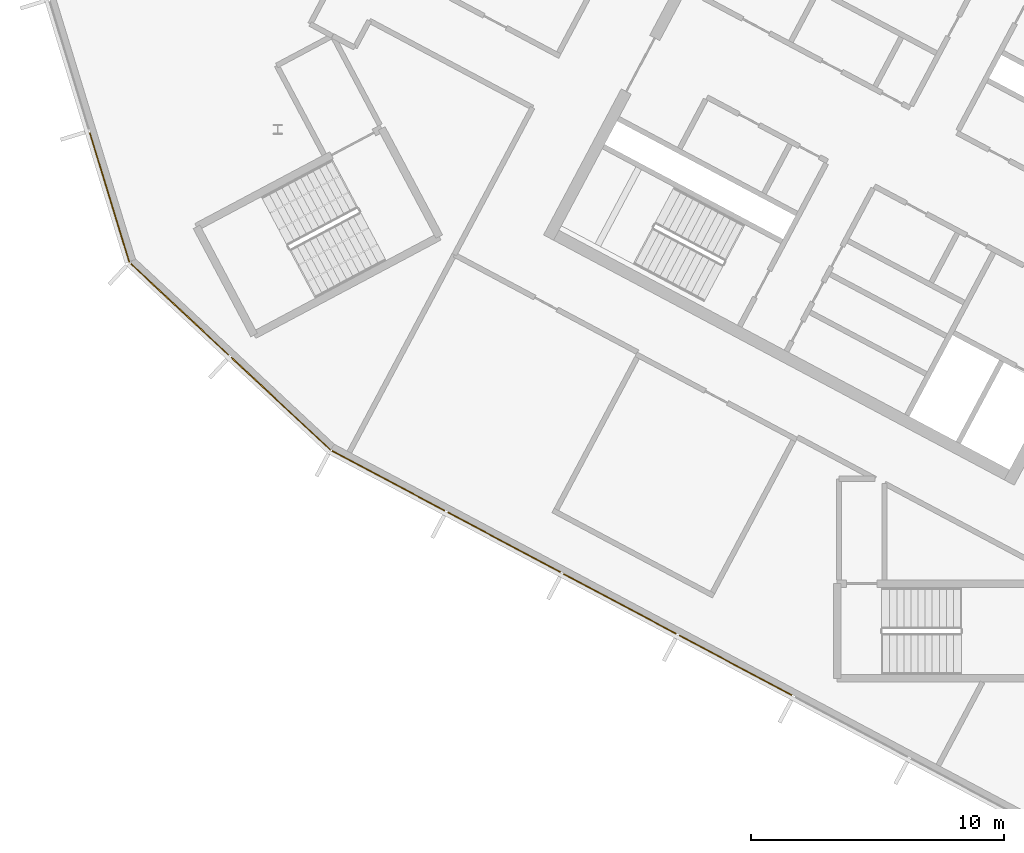
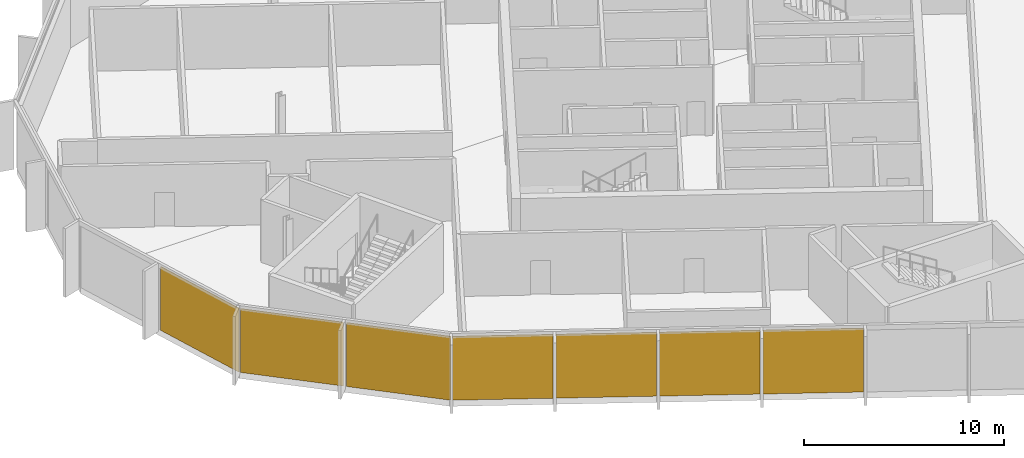
# One storey, part 10 of 15: 7 coverings, 3 elements without a shape of their own.
"""IFC4 building model written with IfcOpenShell, lengths in metres."""

from ifc_helpers import new_model, si_unit, direction, frame, origin, origin_2d, place, context, subcontext, project, spatial, rectangle, extrude, material, layer, layer_set, type_object, element, aggregate, save


model = new_model("IFC4")

# Units and contexts
model_context = context("Model", 3, precision=1e-05, world=origin(), true_north=direction((0.0, 1.0)))
body_context = subcontext(model_context, "Body", "Model", "MODEL_VIEW")
ifc_project = project(units=[si_unit("LENGTHUNIT", "METRE"), si_unit("AREAUNIT", "SQUARE_METRE"), si_unit("VOLUMEUNIT", "CUBIC_METRE"), si_unit("PLANEANGLEUNIT", "RADIAN"), si_unit("MASSUNIT", "GRAM", prefix="KILO")], contexts=[model_context])

# Site, building, storey
site_placement = place(None, origin())
site = spatial("IfcSite", under=ifc_project, at=site_placement, CompositionType="ELEMENT")
building_placement = place(site_placement, origin())
building = spatial("IfcBuilding", under=site, at=building_placement, Name="Cormorant Relay Tower", CompositionType="ELEMENT")
storey_placement = place(building_placement, frame((0.0, 0.0, 336.60009765625)))
storey = spatial("IfcBuildingStorey", under=building, at=storey_placement, Name="C3", CompositionType="ELEMENT", Elevation=336.60009765625)

# Curtain wall, coverings
ifc_material_1 = material(Name="Aluminium 6063-T6 anodised bronze", Category="aluminium")
ifc_layer_1 = layer(ifc_material_1, 0.199951171875)
ifc_layer_set_1 = layer_set([ifc_layer_1], Name="CW3 crown screen wall")
curtain_wall_type = type_object("IfcCurtainWallType", Name="CW3 crown screen wall", PredefinedType="NOTDEFINED", material=ifc_layer_set_1)
curtain_wall_1_placement = place(storey_placement, origin())
curtain_wall_1 = element("IfcCurtainWall", 1, at=curtain_wall_1_placement, inside=storey, type_object=curtain_wall_type, Name="CW3 curtain wall 1", PredefinedType="NOTDEFINED")
ifc_material_2 = material(Name="Perforated bronze anodised aluminium screen", Category="aluminium")
ifc_layer_2 = layer(ifc_material_2, 0.0400390625)
ifc_layer_set_2 = layer_set([ifc_layer_2], Name="CW3 perforated bronze screen panel 40")
covering_type = type_object("IfcCoveringType", Name="CW3 perforated bronze screen panel 40", PredefinedType="CLADDING", material=ifc_layer_set_2)
covering_1_placement = place(storey_placement, frame((-47.310302734375, 1.3486328125, 0.0), z_axis=(0.0, 0.0, 1.0), x_axis=(0.882947592859, -0.469471562786, 0.0)))
covering_1 = element("IfcCovering", 2, at=covering_1_placement, type_object=covering_type, Name="CW3 panel X00", PredefinedType="CLADDING", context=body_context, shape_type="SweptSolid", body=[
    extrude(rectangle(XDim=5.038818359375, YDim=0.0400390625, at=origin_2d()), origin(), (0.0, 0.0, 1.0), 3.89990234375),
])
covering_2_placement = place(storey_placement, frame((-42.728515625, -1.08740234375, 0.0), z_axis=(0.0, 0.0, 1.0), x_axis=(0.882947592859, -0.469471562786, 0.0)))
covering_2 = element("IfcCovering", 3, at=covering_2_placement, type_object=covering_type, Name="CW3 panel X01", PredefinedType="CLADDING", context=body_context, shape_type="SweptSolid", body=[
    extrude(rectangle(XDim=5.038818359375, YDim=0.0400390625, at=origin_2d()), origin(), (0.0, 0.0, 1.0), 3.89990234375),
])
covering_3_placement = place(storey_placement, frame((-38.147216796875, -3.5234375, 0.0), z_axis=(0.0, 0.0, 1.0), x_axis=(0.882947592859, -0.469471562786, 0.0)))
covering_3 = element("IfcCovering", 4, at=covering_3_placement, type_object=covering_type, Name="CW3 panel X02", PredefinedType="CLADDING", context=body_context, shape_type="SweptSolid", body=[
    extrude(rectangle(XDim=5.038818359375, YDim=0.0400390625, at=origin_2d()), origin(), (0.0, 0.0, 1.0), 3.89990234375),
])
covering_4_placement = place(storey_placement, frame((-33.5654296875, -5.95947265625, 0.0), z_axis=(0.0, 0.0, 1.0), x_axis=(0.882947592859, -0.469471562786, 0.0)))
covering_4 = element("IfcCovering", 5, at=covering_4_placement, type_object=covering_type, Name="CW3 panel X03", PredefinedType="CLADDING", context=body_context, shape_type="SweptSolid", body=[
    extrude(rectangle(XDim=5.038818359375, YDim=0.0400390625, at=origin_2d()), origin(), (0.0, 0.0, 1.0), 3.89990234375),
])
aggregate(curtain_wall_1, [covering_1, covering_2, covering_3, covering_4])

# Curtain wall, covering
curtain_wall_2_placement = place(storey_placement, origin())
curtain_wall_2 = element("IfcCurtainWall", 6, at=curtain_wall_2_placement, inside=storey, type_object=curtain_wall_type, Name="CW3 curtain wall 20", PredefinedType="NOTDEFINED")
covering_5_placement = place(storey_placement, frame((-58.344482421875, 12.55517578125, 0.0), z_axis=(0.0, 0.0, 1.0), x_axis=(0.292371704723, -0.956304755963, 0.0)))
covering_5 = element("IfcCovering", 7, at=covering_5_placement, type_object=covering_type, Name="CW3 panel X01", PredefinedType="CLADDING", context=body_context, shape_type="SweptSolid", body=[
    extrude(rectangle(XDim=5.360107421875, YDim=0.0400390625, at=origin_2d()), origin(), (0.0, 0.0, 1.0), 3.89990234375),
])
aggregate(curtain_wall_2, [covering_5])

# Curtain wall, coverings
curtain_wall_3_placement = place(storey_placement, origin())
curtain_wall_3 = element("IfcCurtainWall", 8, at=curtain_wall_3_placement, inside=storey, type_object=curtain_wall_type, Name="CW3 curtain wall 21", PredefinedType="NOTDEFINED")
covering_6_placement = place(storey_placement, frame((-55.56787109375, 8.1298828125, 0.0), z_axis=(0.0, 0.0, 1.0), x_axis=(0.731353701619, -0.681998360062, 0.0)))
covering_6 = element("IfcCovering", 9, at=covering_6_placement, type_object=covering_type, Name="CW3 panel X00", PredefinedType="CLADDING", context=body_context, shape_type="SweptSolid", body=[
    extrude(rectangle(XDim=5.28515625, YDim=0.0400390625, at=origin_2d()), origin(), (0.0, 0.0, 1.0), 3.89990234375),
])
covering_7_placement = place(storey_placement, frame((-51.565185546875, 4.3974609375, 0.0), z_axis=(0.0, 0.0, 1.0), x_axis=(0.731353701619, -0.681998360062, 0.0)))
covering_7 = element("IfcCovering", 10, at=covering_7_placement, type_object=covering_type, Name="CW3 panel X01", PredefinedType="CLADDING", context=body_context, shape_type="SweptSolid", body=[
    extrude(rectangle(XDim=5.360107421875, YDim=0.0400390625, at=origin_2d()), origin(), (0.0, 0.0, 1.0), 3.89990234375),
])
aggregate(curtain_wall_3, [covering_6, covering_7])

save(model, "model.ifc")
